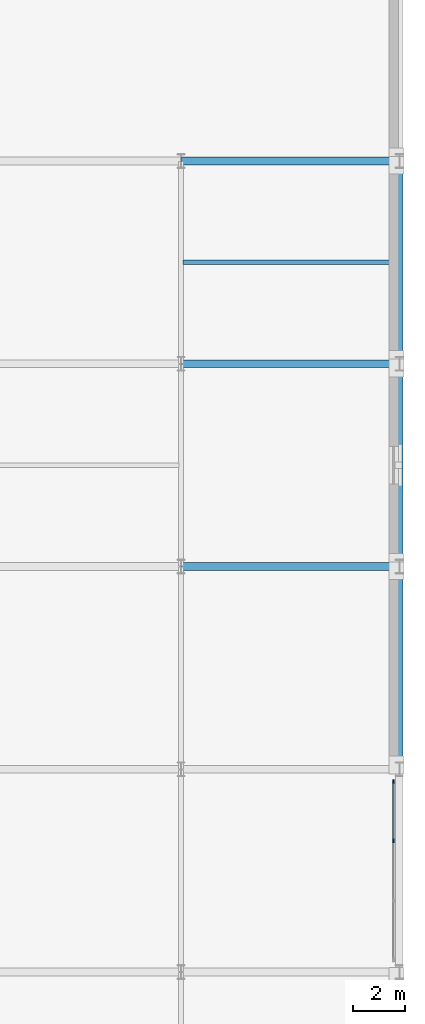
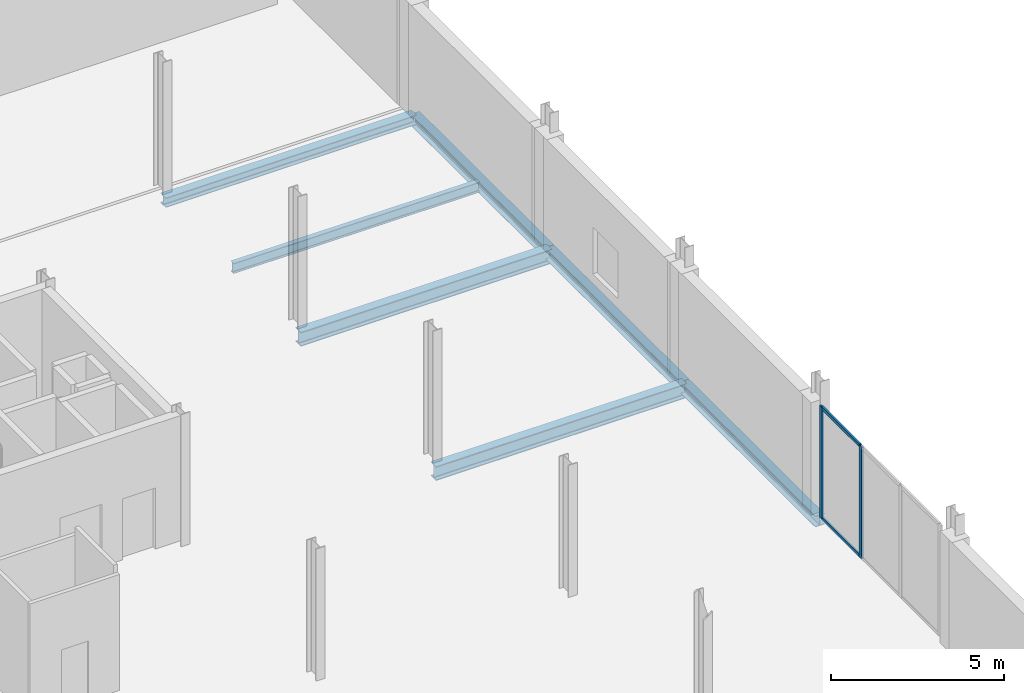
# One storey, part 57 of 98: 7 beams, 4 members, 1 element without a shape of its own.
"""IFC4 building model written with IfcOpenShell, lengths in metres."""

from ifc_helpers import new_model, si_unit, direction, frame, origin, origin_2d, place, context, subcontext, project, spatial, rectangle, i_section, extrude, material, material_profile, profile_set, type_object, element, aggregate, save


model = new_model("IFC4")

# Units and contexts
model_context = context("Model", 3, precision=1e-05, world=origin(), true_north=direction((0.0, 1.0)))
body_context = subcontext(model_context, "Body", "Model", "MODEL_VIEW")
ifc_project = project(units=[si_unit("LENGTHUNIT", "METRE"), si_unit("AREAUNIT", "SQUARE_METRE"), si_unit("VOLUMEUNIT", "CUBIC_METRE"), si_unit("PLANEANGLEUNIT", "RADIAN"), si_unit("MASSUNIT", "GRAM", prefix="KILO")], contexts=[model_context])

# Site, building, storey
site_placement = place(None, origin())
site = spatial("IfcSite", under=ifc_project, at=site_placement, CompositionType="ELEMENT")
building_placement = place(site_placement, origin())
building = spatial("IfcBuilding", under=site, at=building_placement, Name="Nabrawat Pavilion Hospital", CompositionType="ELEMENT")
storey_placement = place(building_placement, frame((0.0, 0.0, 10.199951171875)))
storey = spatial("IfcBuildingStorey", under=building, at=storey_placement, Name="L02", CompositionType="ELEMENT", Elevation=10.199951171875)

# Beam
ifc_material_1 = material(Name="Steel S355", Category="steel")
ifc_material_profile_1 = material_profile(ifc_material_1, i_section(OverallWidth=0.169921875, OverallDepth=0.360107421875, WebThickness=0.008056640625, FlangeThickness=0.0126953125, FilletRadius=0.01806640625, at=origin_2d()), Name="IPE 360")
ifc_profile_set_1 = profile_set([ifc_material_profile_1], Name="Steel S355")
beam_type_1 = type_object("IfcBeamType", Name="Heavy Clinical Secondary Joist IPE 360", PredefinedType="JOIST", material=ifc_profile_set_1)
beam_1_placement = place(storey_placement, frame((184.8701171875, 81.89990234375, -0.429931640625), z_axis=(1.0, 0.0, 0.0), x_axis=(0.0, 1.0, 0.0)))
element("IfcBeam", 1, at=beam_1_placement, inside=storey, type_object=beam_type_1, Name="L02 Secondary Composite Floor Joist 1413", PredefinedType="JOIST", context=body_context, shape_type="SweptSolid", body=[
    extrude(i_section(OverallWidth=0.169921875, OverallDepth=0.360107421875, WebThickness=0.008056640625, FlangeThickness=0.0126953125, FilletRadius=0.01806640625, at=origin_2d()), origin(), (0.0, 0.0, 1.0), 8.204833984375),
])

# Curtain wall, members
ifc_material_2 = material(Name="Anodised Aluminium", Category="aluminium")
curtain_wall_type = type_object("IfcCurtainWallType", Name="Inpatient Dayroom Bay Curtain Wall", PredefinedType="USERDEFINED", material=ifc_material_2)
curtain_wall_placement = place(storey_placement, origin())
curtain_wall = element("IfcCurtainWall", 2, at=curtain_wall_placement, inside=storey, type_object=curtain_wall_type, Name="L02 Inpatient Dayroom Bay Curtain Wall 139", ObjectType="CURTAIN WALL", PredefinedType="USERDEFINED")
ifc_material_profile_2 = material_profile(ifc_material_2, rectangle(XDim=0.06005859375, YDim=0.159912109375, at=origin_2d()), Name="CWM 60x160")
ifc_profile_set_2 = profile_set([ifc_material_profile_2], Name="Anodised Aluminium")
member_type_1 = type_object("IfcMemberType", Name="Inpatient Dayroom Bay Curtain Wall Mullion CWM 60x160", PredefinedType="MULLION", material=ifc_profile_set_2)
member_1_placement = place(storey_placement, frame((192.97998046875, 59.651611328125, 0.0), z_axis=(0.0, 0.0, 1.0), x_axis=(-1.0, 0.0, 0.0)))
member_1 = element("IfcMember", 3, at=member_1_placement, type_object=member_type_1, Name="CW-WRD-01 mullion 3", PredefinedType="MULLION", context=body_context, shape_type="SweptSolid", body=[
    extrude(rectangle(XDim=0.06005859375, YDim=0.159912109375, at=origin_2d()), origin(), (0.0, 0.0, 1.0), 3.949951171875),
])
member_2_placement = place(storey_placement, frame((192.97998046875, 61.925048828125, 0.0), z_axis=(0.0, 0.0, 1.0), x_axis=(-1.0, 0.0, 0.0)))
member_2 = element("IfcMember", 4, at=member_2_placement, type_object=member_type_1, Name="CW-WRD-01 mullion 4", PredefinedType="MULLION", context=body_context, shape_type="SweptSolid", body=[
    extrude(rectangle(XDim=0.06005859375, YDim=0.159912109375, at=origin_2d()), origin(), (0.0, 0.0, 1.0), 3.949951171875),
])
ifc_material_profile_3 = material_profile(ifc_material_2, rectangle(XDim=0.06005859375, YDim=0.1201171875, at=origin_2d()), Name="CWT 60x120")
ifc_profile_set_3 = profile_set([ifc_material_profile_3], Name="Anodised Aluminium")
member_type_2 = type_object("IfcMemberType", Name="Inpatient Dayroom Bay Curtain Wall Transom CWT 60x120", PredefinedType="USERDEFINED", material=ifc_profile_set_3)
member_3_placement = place(storey_placement, frame((192.97998046875, 59.681640625, 0.030029296875), z_axis=(0.0, 1.0, 0.0), x_axis=(-1.0, 0.0, 0.0)))
member_3 = element("IfcMember", 5, at=member_3_placement, type_object=member_type_2, Name="CW-WRD-01 transom 3.1", ObjectType="TRANSOM", PredefinedType="USERDEFINED", context=body_context, shape_type="SweptSolid", body=[
    extrude(rectangle(XDim=0.06005859375, YDim=0.1201171875, at=origin_2d()), origin(), (0.0, 0.0, 1.0), 2.21337890625),
])
member_4_placement = place(storey_placement, frame((192.97998046875, 59.681640625, 3.920166015625), z_axis=(0.0, 1.0, 0.0), x_axis=(-1.0, 0.0, 0.0)))
member_4 = element("IfcMember", 6, at=member_4_placement, type_object=member_type_2, Name="CW-WRD-01 transom 3.2", ObjectType="TRANSOM", PredefinedType="USERDEFINED", context=body_context, shape_type="SweptSolid", body=[
    extrude(rectangle(XDim=0.06005859375, YDim=0.1201171875, at=origin_2d()), origin(), (0.0, 0.0, 1.0), 2.21337890625),
])
aggregate(curtain_wall, [member_1, member_2, member_3, member_4])

# Beams
ifc_material_profile_4 = material_profile(ifc_material_1, i_section(OverallWidth=0.300048828125, OverallDepth=0.389892578125, WebThickness=0.010986328125, FlangeThickness=0.01904296875, FilletRadius=0.027099609375, at=origin_2d()), Name="HEA 400")
ifc_profile_set_4 = profile_set([ifc_material_profile_4], Name="Steel S355")
beam_type_2 = type_object("IfcBeamType", Name="Perimeter Moment Spandrel Beam HEA 400", PredefinedType="SPANDREL", material=ifc_profile_set_4)
for number, where, z_axis, x_axis, name in (
    (7, (193.199951171875, 62.419921875, -0.445068359375), (0.0, 1.0, 0.0), (-1.0, 0.0, 0.0), "L02 Primary Y Beam 1397"),
    (8, (193.199951171875, 70.219970703125, -0.445068359375), (0.0, 1.0, 0.0), (-1.0, 0.0, 0.0), "L02 Primary Y Beam 1398"),
    (9, (193.199951171875, 78.02001953125, -0.445068359375), (0.0, 1.0, 0.0), (-1.0, 0.0, 0.0), "L02 Primary Y Beam 1399"),
):
    element("IfcBeam", number, at=place(storey_placement, frame(where, z_axis=z_axis, x_axis=x_axis)), inside=storey, type_object=beam_type_2, Name=name, PredefinedType="SPANDREL", context=body_context, shape_type="SweptSolid", body=[
        extrude(i_section(OverallWidth=0.300048828125, OverallDepth=0.389892578125, WebThickness=0.010986328125, FlangeThickness=0.01904296875, FilletRadius=0.027099609375, at=origin_2d()), origin(), (0.0, 0.0, 1.0), 7.760009765625),
    ])
ifc_material_profile_5 = material_profile(ifc_material_1, i_section(OverallWidth=0.300048828125, OverallDepth=0.5, WebThickness=0.014404296875, FlangeThickness=0.028076171875, FilletRadius=0.027099609375, at=origin_2d()), Name="HEB 500")
ifc_profile_set_5 = profile_set([ifc_material_profile_5], Name="Steel S355")
beam_type_3 = type_object("IfcBeamType", Name="Primary Floor Girder HEB 500", PredefinedType="USERDEFINED", material=ifc_profile_set_5)
for number, where, z_axis, x_axis, name in (
    (10, (184.820068359375, 70.199951171875, -0.5), (1.0, 0.0, 0.0), (0.0, 1.0, 0.0), "L02 Primary X Girder 1064"),
    (11, (184.820068359375, 78.0, -0.5), (1.0, 0.0, 0.0), (0.0, 1.0, 0.0), "L02 Primary X Girder 1076"),
):
    element("IfcBeam", number, at=place(storey_placement, frame(where, z_axis=z_axis, x_axis=x_axis)), inside=storey, type_object=beam_type_3, Name=name, ObjectType="GIRDER", PredefinedType="USERDEFINED", context=body_context, shape_type="SweptSolid", body=[
        extrude(i_section(OverallWidth=0.300048828125, OverallDepth=0.5, WebThickness=0.014404296875, FlangeThickness=0.028076171875, FilletRadius=0.027099609375, at=origin_2d()), origin(), (0.0, 0.0, 1.0), 8.35986328125),
    ])
ifc_material_profile_6 = material_profile(ifc_material_1, i_section(OverallWidth=0.300048828125, OverallDepth=0.340087890625, WebThickness=0.011962890625, FlangeThickness=0.021484375, FilletRadius=0.027099609375, at=origin_2d()), Name="HEB 340")
ifc_profile_set_6 = profile_set([ifc_material_profile_6], Name="Steel S355")
beam_type_4 = type_object("IfcBeamType", Name="Ward Perimeter Spandrel Beam HEB 340", PredefinedType="SPANDREL", material=ifc_profile_set_6)
beam_2_placement = place(storey_placement, frame((184.820068359375, 85.800048828125, -0.419921875), z_axis=(1.0, 0.0, 0.0), x_axis=(0.0, 1.0, 0.0)))
element("IfcBeam", 12, at=beam_2_placement, inside=storey, type_object=beam_type_4, Name="L02 Primary X Girder 1099", PredefinedType="SPANDREL", context=body_context, shape_type="SweptSolid", body=[
    extrude(i_section(OverallWidth=0.300048828125, OverallDepth=0.340087890625, WebThickness=0.011962890625, FlangeThickness=0.021484375, FilletRadius=0.027099609375, at=origin_2d()), origin(), (0.0, 0.0, 1.0), 8.35986328125),
])

save(model, "model.ifc")
